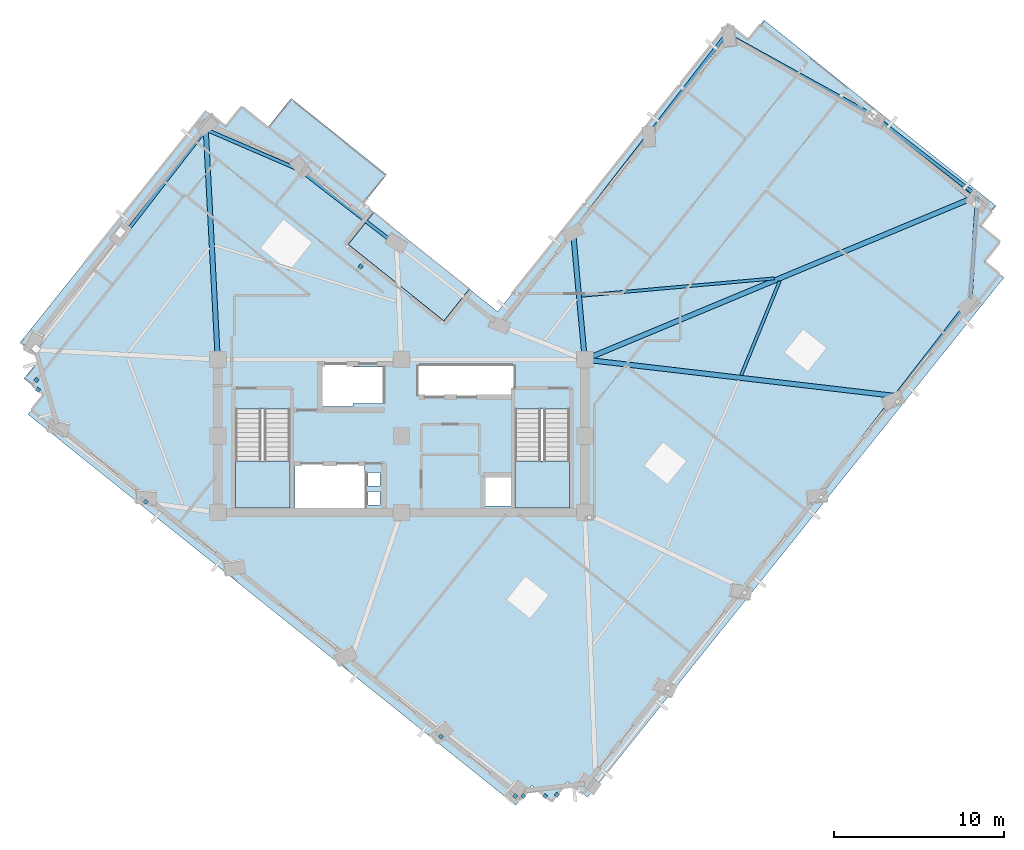
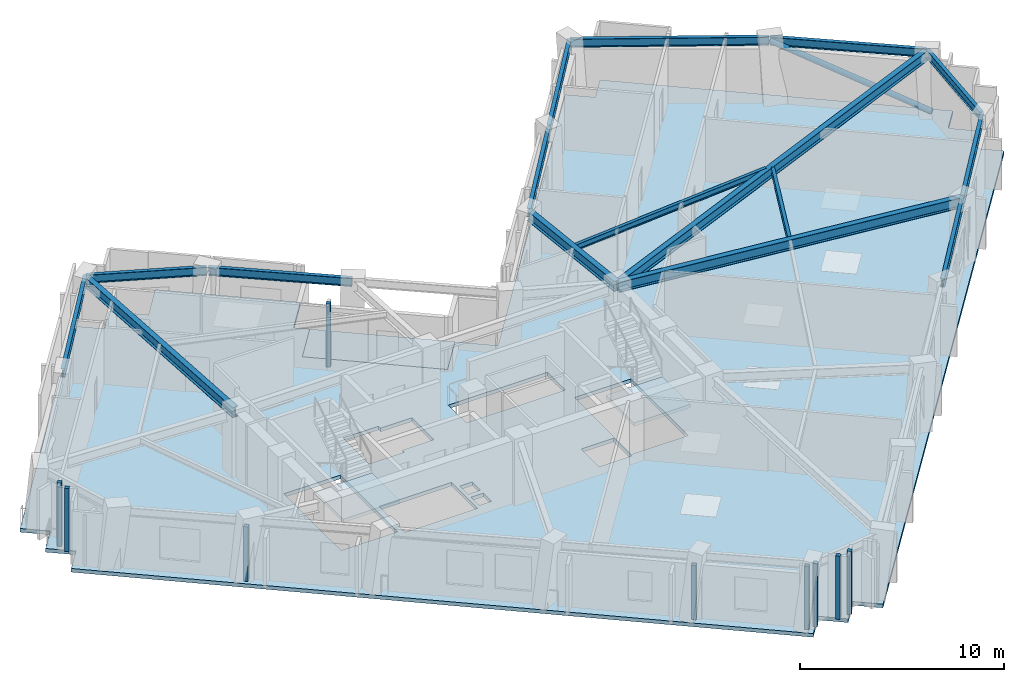
# One storey, part 2 of 10: 16 beams, 9 plates, 4 slabs, 1 member, 2 elements without a shape of their own.
"""IFC4 building model written with IfcOpenShell, lengths in metres."""

import ifcopenshell
import ifcopenshell.guid

model = None  # the IFC model being written
_history = None  # IfcOwnerHistory: only IFC2X3 demands one
_inside = {}  # id of a spatial element -> (the spatial element, [elements in it])
_under = {}  # id of a project, library or spatial element -> (it, [spatial elements below it])
_declared = {}  # id of a project -> (the project, [libraries it declares])
_typed = {}  # id of a type object -> (the type object, [elements of that type])
_made_of = {}  # id of a material, layer set ... -> (it, [elements and type objects made of it])


def new_model(schema):
    """Start an empty IFC model of exactly this schema.

    Asked for "IFC4X3", IfcOpenShell would pick the latest addendum, in which some entities
    have other attributes; the version numbers below select the first issue.
    IFC2X3 requires an IfcOwnerHistory on every rooted entity: one is made here for all.
    """
    global model, _history
    if schema == "IFC4X3":
        model = ifcopenshell.file(schema_version=(4, 3, 0, 0))
    else:
        model = ifcopenshell.file(schema=schema)
    _inside.clear()
    _under.clear()
    _declared.clear()
    _typed.clear()
    _made_of.clear()
    _history = None
    if model.schema == "IFC2X3":
        org = make("IfcOrganization", Name="unknown")
        user = make(
            "IfcPersonAndOrganization",
            ThePerson=make("IfcPerson", FamilyName="unknown"),
            TheOrganization=org,
        )
        app = make(
            "IfcApplication",
            ApplicationDeveloper=org,
            Version="unknown",
            ApplicationFullName="unknown",
            ApplicationIdentifier="unknown",
        )
        _history = make(
            "IfcOwnerHistory",
            OwningUser=user,
            OwningApplication=app,
            ChangeAction="ADDED",
            CreationDate=0,
        )
    return model


def make(cls, **values):
    """One entity of the class cls with the attributes given. An attribute that is None is left unset."""
    return model.create_entity(
        cls, **{name: value for name, value in values.items() if value is not None}
    )


def rooted(cls, **values):
    """An entity with a GlobalId (a new one), such as an element, a storey or a relation."""
    return make(cls, GlobalId=ifcopenshell.guid.new(), OwnerHistory=_history, **values)


def si_unit(unit_type, name, prefix=None):
    """IfcSIUnit, for example si_unit("LENGTHUNIT", "METRE", prefix="MILLI")."""
    return make("IfcSIUnit", UnitType=unit_type, Prefix=prefix, Name=name)


def assignment(units):
    """IfcUnitAssignment: the units of a project."""
    return None if units is None else make("IfcUnitAssignment", Units=units)


def point(xyz):
    """IfcCartesianPoint."""
    return None if xyz is None else make("IfcCartesianPoint", Coordinates=xyz)


def direction(xyz):
    """IfcDirection."""
    return None if xyz is None else make("IfcDirection", DirectionRatios=xyz)


def frame(location, z_axis=None, x_axis=None):
    """IfcAxis2Placement3D, a coordinate frame: its origin and axes. An axis left out is left unset."""
    return make(
        "IfcAxis2Placement3D",
        Location=point(location),
        Axis=direction(z_axis),
        RefDirection=direction(x_axis),
    )


def frame_2d(location, x_axis=None):
    """IfcAxis2Placement2D, a coordinate frame in the plane: its origin and x axis."""
    return make(
        "IfcAxis2Placement2D", Location=point(location), RefDirection=direction(x_axis)
    )


def origin():
    """The frame at (0, 0, 0) with its axes left unset."""
    return frame((0.0, 0.0, 0.0))


def origin_2d():
    """The frame at (0, 0) in the plane with its x axis left unset."""
    return frame_2d((0.0, 0.0))


def place(relative_to, where):
    """IfcLocalPlacement: puts the frame where relative to a parent placement (None: the world)."""
    return make(
        "IfcLocalPlacement", PlacementRelTo=relative_to, RelativePlacement=where
    )


def context(
    kind, dimensions, precision=None, world=None, true_north=None, identifier=None
):
    """IfcGeometricRepresentationContext, for example the 3D "Model" context."""
    return make(
        "IfcGeometricRepresentationContext",
        ContextIdentifier=identifier,
        ContextType=kind,
        CoordinateSpaceDimension=dimensions,
        Precision=precision,
        WorldCoordinateSystem=world,
        TrueNorth=true_north,
    )


def subcontext(parent, identifier, kind, view, scale=None):
    """IfcGeometricRepresentationSubContext, for example "Body" below "Model"."""
    return make(
        "IfcGeometricRepresentationSubContext",
        ContextIdentifier=identifier,
        ContextType=kind,
        ParentContext=parent,
        TargetScale=scale,
        TargetView=view,
    )


def project(units=None, contexts=None):
    """IfcProject with its units and contexts."""
    return rooted(
        "IfcProject",
        Name="project",
        RepresentationContexts=contexts,
        UnitsInContext=assignment(units),
    )


def spatial(cls, under=None, at=None, **own):
    """A site, building, storey or space (cls), placed at a placement, below another one or the project."""
    s = rooted(cls, ObjectPlacement=at, **own)
    if under is not None:
        _under.setdefault(under.id(), (under, []))[1].append(s)
    return s


def polyline(points):
    """IfcPolyline through the points."""
    return make("IfcPolyline", Points=[point(p) for p in points])


def profile(cls, at=None, kind="AREA", **sizes):
    """A parametric profile (cls). Its sizes go by their IFC names, for example OverallWidth=200.0."""
    return make(cls, ProfileType=kind, Position=at, **sizes)


def rectangle(**sizes):
    """IfcRectangleProfileDef."""
    return profile("IfcRectangleProfileDef", **sizes)


def hollow_circle(**sizes):
    """IfcCircleHollowProfileDef."""
    return profile("IfcCircleHollowProfileDef", **sizes)


def i_section(**sizes):
    """IfcIShapeProfileDef."""
    return profile("IfcIShapeProfileDef", **sizes)


def outline(outer, holes=None, kind="AREA"):
    """IfcArbitraryClosedProfileDef: a profile drawn as a closed curve; with holes, ...WithVoids."""
    if holes is None:
        return make("IfcArbitraryClosedProfileDef", ProfileType=kind, OuterCurve=outer)
    return make(
        "IfcArbitraryProfileDefWithVoids",
        ProfileType=kind,
        OuterCurve=outer,
        InnerCurves=holes,
    )


def extrude(swept, where, along, depth):
    """IfcExtrudedAreaSolid: the profile swept, set in the frame where, extruded along a direction by depth."""
    return make(
        "IfcExtrudedAreaSolid",
        SweptArea=swept,
        Position=where,
        ExtrudedDirection=direction(along),
        Depth=depth,
    )


def shape(context_of_items, identifier, shape_type, items):
    """IfcShapeRepresentation: the items that make up one representation, for example the "Body"."""
    return make(
        "IfcShapeRepresentation",
        ContextOfItems=context_of_items,
        RepresentationIdentifier=identifier,
        RepresentationType=shape_type,
        Items=items,
    )


def material(Name=None, Category=None):
    """IfcMaterial."""
    return make("IfcMaterial", Name=Name, Category=Category)


def layer(
    of_material, thickness, ventilated=None, Name=None, Category=None, Priority=None
):
    """IfcMaterialLayer: one layer of a wall or slab, of a material (None: an air gap)."""
    return make(
        "IfcMaterialLayer",
        Material=of_material,
        LayerThickness=thickness,
        IsVentilated=ventilated,
        Name=Name,
        Category=Category,
        Priority=Priority,
    )


def layer_set(layers, Name=None):
    """IfcMaterialLayerSet."""
    return make("IfcMaterialLayerSet", MaterialLayers=layers, LayerSetName=Name)


def material_profile(
    of_material, cross_section, Name=None, Category=None, Priority=None
):
    """IfcMaterialProfile: a cross section and its material."""
    return make(
        "IfcMaterialProfile",
        Name=Name,
        Material=of_material,
        Profile=cross_section,
        Priority=Priority,
        Category=Category,
    )


def profile_set(profiles, Name=None, composite=None):
    """IfcMaterialProfileSet."""
    return make(
        "IfcMaterialProfileSet",
        Name=Name,
        MaterialProfiles=profiles,
        CompositeProfile=composite,
    )


def made_of(thing, what):
    """Note that an element or type object is made of a material, layer set ...; save() writes the relation."""
    if what is not None:
        _made_of.setdefault(what.id(), (what, []))[1].append(thing)
    return thing


def type_object(cls, material=None, **own):
    """A type object (cls), such as IfcWallType, which elements share."""
    return made_of(rooted(cls, **own), material)


def element(
    cls,
    number,
    at=None,
    inside=None,
    cuts=None,
    type_object=None,
    material=None,
    context=None,
    identifier="Body",
    shape_type=None,
    held_by="IfcProductDefinitionShape",
    body=None,
    shapes=None,
    **own,
):
    """One element of the class cls, such as IfcWall. Its Tag is "e" and its number.

    at: its placement. inside: the storey or other place that contains it. cuts: it is an
    opening in that element (IfcRelVoidsElement). A single representation is given by context,
    identifier, shape_type and body (its items); several are given by shapes. held_by: the class
    of the entity that holds the representations. save() writes the other relations.
    """
    e = rooted(cls, Tag="e%d" % number, ObjectPlacement=at, **own)
    if body is not None:
        shapes = [shape(context, identifier, shape_type, body)]
    if shapes is not None:
        e.Representation = make(held_by, Representations=shapes)
    if inside is not None:
        _inside.setdefault(inside.id(), (inside, []))[1].append(e)
    if cuts is not None:
        rooted(
            "IfcRelVoidsElement", RelatingBuildingElement=cuts, RelatedOpeningElement=e
        )
    if type_object is not None:
        _typed.setdefault(type_object.id(), (type_object, []))[1].append(e)
    return made_of(e, material)


def aggregate(whole, parts):
    """IfcRelAggregates: a whole, such as a stair, and the parts it consists of."""
    return rooted("IfcRelAggregates", RelatingObject=whole, RelatedObjects=parts)


def save(model, path):
    """Write the relations noted so far, then the file.

    IfcRelAggregates (storeys below a building ...), IfcRelContainedInSpatialStructure (elements
    in a storey), IfcRelDefinesByType, IfcRelAssociatesMaterial and IfcRelDeclares: one each for
    every whole, place, type object, material and project.
    """
    for whole, parts in _under.values():
        aggregate(whole, parts)
    for where, things in _inside.values():
        rooted(
            "IfcRelContainedInSpatialStructure",
            RelatedElements=things,
            RelatingStructure=where,
        )
    for kind, things in _typed.values():
        rooted("IfcRelDefinesByType", RelatedObjects=things, RelatingType=kind)
    for what, things in _made_of.values():
        rooted("IfcRelAssociatesMaterial", RelatedObjects=things, RelatingMaterial=what)
    for by, libraries in _declared.values():
        rooted("IfcRelDeclares", RelatingContext=by, RelatedDefinitions=libraries)
    model.write(path)


model = new_model("IFC4")

# Units and contexts
model_context = context("Model", 3, precision=1e-05, world=origin(), true_north=direction((0.0, 1.0)))
body_context = subcontext(model_context, "Body", "Model", "MODEL_VIEW")
ifc_project = project(units=[si_unit("LENGTHUNIT", "METRE"), si_unit("AREAUNIT", "SQUARE_METRE"), si_unit("VOLUMEUNIT", "CUBIC_METRE"), si_unit("PLANEANGLEUNIT", "RADIAN"), si_unit("MASSUNIT", "GRAM", prefix="KILO")], contexts=[model_context])

# Site, building, storey
site_placement = place(None, origin())
site = spatial("IfcSite", under=ifc_project, at=site_placement, CompositionType="ELEMENT")
building_placement = place(site_placement, origin())
building = spatial("IfcBuilding", under=site, at=building_placement, Name="Gaonmaruhae Medical Tower", CompositionType="ELEMENT")
storey_placement = place(building_placement, frame((0.0, 0.0, 243.199951171875)))
storey = spatial("IfcBuildingStorey", under=building, at=storey_placement, Name="L58", CompositionType="ELEMENT", Elevation=243.199951171875)

# Beams
ifc_material_1 = material(Name="Steel SM355", Category="steel")
ifc_material_profile_1 = material_profile(ifc_material_1, i_section(OverallWidth=0.175048828125, OverallDepth=0.35009765625, WebThickness=0.007080078125, FlangeThickness=0.010986328125, FilletRadius=0.012939453125, at=origin_2d()), Name="H-350x175x7x11")
ifc_profile_set_1 = profile_set([ifc_material_profile_1], Name="Steel SM355")
beam_type_1 = type_object("IfcBeamType", Name="FJ-02 Upper Zone Ward Floor Joist (H-350x175x7x11)", PredefinedType="JOIST", material=ifc_profile_set_1)
beam_1_placement = place(storey_placement, frame((44.804443359375, 15.878173828125, 3.60498046875), z_axis=(0.378464256869, 0.92561590645, 0.0), x_axis=(-0.92561590645, 0.378464256869, 0.0)))
element("IfcBeam", 1, at=beam_1_placement, inside=storey, type_object=beam_type_1, Name="L58 Secondary Floor Joist FJ03", PredefinedType="JOIST", context=body_context, shape_type="SweptSolid", body=[
    extrude(i_section(OverallWidth=0.175048828125, OverallDepth=0.35009765625, WebThickness=0.007080078125, FlangeThickness=0.010986328125, FilletRadius=0.012939453125, at=origin_2d()), origin(), (0.0, 0.0, 1.0), 5.977294921875),
])
beam_2_placement = place(storey_placement, frame((46.749755859375, 21.576416015625, 3.60498046875), z_axis=(-0.995996790355, -0.089389001576, 0.0), x_axis=(0.089389001576, -0.995996790355, 0.0)))
element("IfcBeam", 2, at=beam_2_placement, inside=storey, type_object=beam_type_1, Name="L58 Secondary Floor Joist FJ04", PredefinedType="JOIST", context=body_context, shape_type="SweptSolid", body=[
    extrude(i_section(OverallWidth=0.175048828125, OverallDepth=0.35009765625, WebThickness=0.007080078125, FlangeThickness=0.010986328125, FilletRadius=0.012939453125, at=origin_2d()), origin(), (0.0, 0.0, 1.0), 11.3837890625),
])

# Member
ifc_material_profile_2 = material_profile(ifc_material_1, hollow_circle(Radius=0.1591796875, WallThickness=0.01025390625, at=origin_2d()), Name="CHS-318.5x10.3")
ifc_profile_set_2 = profile_set([ifc_material_profile_2], Name="Steel SM355")
member_type = type_object("IfcMemberType", Name="PB-03 Perimeter Solid-Bay Tube Brace Upper (CHS-318.5x10.3)", PredefinedType="BRACE", material=ifc_profile_set_2)
member_placement = place(storey_placement, frame((58.721435546875, 26.00830078125, 0.25), z_axis=(-0.709963496161, 0.595369262002, 0.376147944275), x_axis=(-0.642559044256, -0.766236174195, 0.0)))
element("IfcMember", 3, at=member_placement, inside=storey, type_object=member_type, Name="L58 Perimeter Tube Solid-Bay Brace E01-E02", PredefinedType="BRACE", context=body_context, shape_type="SweptSolid", body=[
    extrude(hollow_circle(Radius=0.1591796875, WallThickness=0.01025390625, at=origin_2d()), origin(), (0.0, 0.0, 1.0), 8.719970703125),
])

# Beams
ifc_material_2 = material(Name="Steel SM420", Category="steel")
ifc_material_profile_3 = material_profile(ifc_material_2, i_section(OverallWidth=0.300048828125, OverallDepth=0.60009765625, WebThickness=0.011962890625, FlangeThickness=0.02001953125, FilletRadius=0.012939453125, at=origin_2d()), Name="H-600x300x12x20")
ifc_profile_set_3 = profile_set([ifc_material_profile_3], Name="Steel SM420")
beam_type_2 = type_object("IfcBeamType", Name="PG-04 Zone 4 Radial Floor Girder (H-600x300x12x20)", PredefinedType="BEAM", material=ifc_profile_set_3)
beam_3_placement = place(storey_placement, frame((35.649658203125, 16.794189453125, 3.47998046875), z_axis=(0.993204828039, -0.116379420685, 0.0), x_axis=(0.116379420685, 0.993204828039, 0.0)))
element("IfcBeam", 4, at=beam_3_placement, inside=storey, type_object=beam_type_2, Name="L58 Radial Primary Girder S05", PredefinedType="BEAM", context=body_context, shape_type="SweptSolid", body=[
    extrude(i_section(OverallWidth=0.300048828125, OverallDepth=0.60009765625, WebThickness=0.011962890625, FlangeThickness=0.02001953125, FilletRadius=0.012939453125, at=origin_2d()), origin(), (0.0, 0.0, 1.0), 18.311767578125),
])
beam_4_placement = place(storey_placement, frame((35.646240234375, 16.8193359375, 3.47998046875), z_axis=(0.923069677486, 0.384632773572, 0.0), x_axis=(-0.384632773572, 0.923069677486, 0.0)))
element("IfcBeam", 5, at=beam_4_placement, inside=storey, type_object=beam_type_2, Name="L58 Radial Primary Girder E01", PredefinedType="BEAM", context=body_context, shape_type="SweptSolid", body=[
    extrude(i_section(OverallWidth=0.300048828125, OverallDepth=0.60009765625, WebThickness=0.011962890625, FlangeThickness=0.02001953125, FilletRadius=0.012939453125, at=origin_2d()), origin(), (0.0, 0.0, 1.0), 24.9228515625),
])
beam_5_placement = place(storey_placement, frame((35.595458984375, 16.849853515625, 3.47998046875), z_axis=(-0.091422598712, 0.995812185326, 0.0), x_axis=(-0.995812185326, -0.091422598712, 0.0)))
element("IfcBeam", 6, at=beam_5_placement, inside=storey, type_object=beam_type_2, Name="L58 Radial Primary Girder EN02", PredefinedType="BEAM", context=body_context, shape_type="SweptSolid", body=[
    extrude(i_section(OverallWidth=0.300048828125, OverallDepth=0.60009765625, WebThickness=0.011962890625, FlangeThickness=0.02001953125, FilletRadius=0.012939453125, at=origin_2d()), origin(), (0.0, 0.0, 1.0), 7.421142578125),
])
beam_6_placement = place(storey_placement, frame((13.997314453125, 16.849853515625, 3.47998046875), z_axis=(-0.052142838185, 0.998639636919, 0.0), x_axis=(-0.998639636919, -0.052142838185, 0.0)))
element("IfcBeam", 7, at=beam_6_placement, inside=storey, type_object=beam_type_2, Name="L58 Radial Primary Girder N01", PredefinedType="BEAM", context=body_context, shape_type="SweptSolid", body=[
    extrude(i_section(OverallWidth=0.300048828125, OverallDepth=0.60009765625, WebThickness=0.011962890625, FlangeThickness=0.02001953125, FilletRadius=0.012939453125, at=origin_2d()), origin(), (0.0, 0.0, 1.0), 13.461181640625),
])
ifc_material_profile_4 = material_profile(ifc_material_1, i_section(OverallWidth=0.199951171875, OverallDepth=0.5, WebThickness=0.010009765625, FlangeThickness=0.01611328125, FilletRadius=0.012939453125, at=origin_2d()), Name="H-500x200x10x16")
ifc_profile_set_4 = profile_set([ifc_material_profile_4], Name="Steel SM355")
beam_type_3 = type_object("IfcBeamType", Name="SP-02 Upper Perimeter Spandrel Beam (H-500x200x10x16)", PredefinedType="SPANDREL", material=ifc_profile_set_4)
beam_7_placement = place(storey_placement, frame((49.503173828125, 8.995849609375, 3.530029296875), z_axis=(0.612213305011, 0.79069265152, 0.0), x_axis=(-0.79069265152, 0.612213305011, 0.0)))
element("IfcBeam", 8, at=beam_7_placement, inside=storey, type_object=beam_type_3, Name="L58 Perimeter Spandrel Beam S04-S05", PredefinedType="SPANDREL", context=body_context, shape_type="SweptSolid", body=[
    extrude(i_section(OverallWidth=0.199951171875, OverallDepth=0.5, WebThickness=0.010009765625, FlangeThickness=0.01611328125, FilletRadius=0.012939453125, at=origin_2d()), origin(), (0.0, 0.0, 1.0), 7.119873046875),
])
beam_8_placement = place(storey_placement, frame((53.9111328125, 14.688720703125, 3.530029296875), z_axis=(0.612196706487, 0.790705503058, 0.0), x_axis=(-0.790705503058, 0.612196706487, 0.0)))
element("IfcBeam", 9, at=beam_8_placement, inside=storey, type_object=beam_type_3, Name="L58 Perimeter Spandrel Beam S05-S06", PredefinedType="SPANDREL", context=body_context, shape_type="SweptSolid", body=[
    extrude(i_section(OverallWidth=0.199951171875, OverallDepth=0.5, WebThickness=0.010009765625, FlangeThickness=0.01611328125, FilletRadius=0.012939453125, at=origin_2d()), origin(), (0.0, 0.0, 1.0), 7.1201171875),
])
beam_9_placement = place(storey_placement, frame((58.297119140625, 20.39013671875, 3.530029296875), z_axis=(0.066278962547, 0.997801132052, 0.0), x_axis=(-0.997801132052, 0.066278962547, 0.0)))
element("IfcBeam", 10, at=beam_9_placement, inside=storey, type_object=beam_type_3, Name="L58 Perimeter Spandrel Beam S06-E01", PredefinedType="SPANDREL", context=body_context, shape_type="SweptSolid", body=[
    extrude(i_section(OverallWidth=0.199951171875, OverallDepth=0.5, WebThickness=0.010009765625, FlangeThickness=0.01611328125, FilletRadius=0.012939453125, at=origin_2d()), origin(), (0.0, 0.0, 1.0), 6.0078125),
])
beam_10_placement = place(storey_placement, frame((58.666259765625, 26.44921875, 3.530029296875), z_axis=(-0.790683706806, 0.612224857214, 0.0), x_axis=(-0.612224857214, -0.790683706806, 0.0)))
element("IfcBeam", 11, at=beam_10_placement, inside=storey, type_object=beam_type_3, Name="L58 Perimeter Spandrel Beam E01-E02", PredefinedType="SPANDREL", context=body_context, shape_type="SweptSolid", body=[
    extrude(i_section(OverallWidth=0.199951171875, OverallDepth=0.5, WebThickness=0.010009765625, FlangeThickness=0.01611328125, FilletRadius=0.012939453125, at=origin_2d()), origin(), (0.0, 0.0, 1.0), 7.719970703125),
])
beam_11_placement = place(storey_placement, frame((52.49560546875, 31.21923828125, 3.530029296875), z_axis=(-0.874958094711, 0.484198649833, 0.0), x_axis=(-0.484198649833, -0.874958094711, 0.0)))
element("IfcBeam", 12, at=beam_11_placement, inside=storey, type_object=beam_type_3, Name="L58 Perimeter Spandrel Beam E02-E03", PredefinedType="SPANDREL", context=body_context, shape_type="SweptSolid", body=[
    extrude(i_section(OverallWidth=0.199951171875, OverallDepth=0.5, WebThickness=0.010009765625, FlangeThickness=0.01611328125, FilletRadius=0.012939453125, at=origin_2d()), origin(), (0.0, 0.0, 1.0), 9.7353515625),
])
beam_12_placement = place(storey_placement, frame((43.91796875, 35.9208984375, 3.530029296875), z_axis=(-0.61221274321, -0.790693086508, 0.0), x_axis=(0.790693086508, -0.61221274321, 0.0)))
element("IfcBeam", 13, at=beam_12_placement, inside=storey, type_object=beam_type_3, Name="L58 Perimeter Spandrel Beam E03-EN01", PredefinedType="SPANDREL", context=body_context, shape_type="SweptSolid", body=[
    extrude(i_section(OverallWidth=0.199951171875, OverallDepth=0.5, WebThickness=0.010009765625, FlangeThickness=0.01611328125, FilletRadius=0.012939453125, at=origin_2d()), origin(), (0.0, 0.0, 1.0), 7.469970703125),
])
for number, where, z_axis, x_axis, name in (
    (14, (39.2958984375, 29.951171875, 3.530029296875), (-0.612218143848, -0.790688904908, 0.0), (0.790688904908, -0.612218143848, 0.0), "L58 Perimeter Spandrel Beam EN01-EN02"),
    (15, (24.498046875, 23.563720703125, 3.530029296875), (-0.790705503058, 0.612196706487, 0.0), (-0.612196706487, -0.790705503058, 0.0), "L58 Perimeter Spandrel Beam NE01-NE02"),
):
    element("IfcBeam", number, at=place(storey_placement, frame(where, z_axis=z_axis, x_axis=x_axis)), inside=storey, type_object=beam_type_3, Name=name, PredefinedType="SPANDREL", context=body_context, shape_type="SweptSolid", body=[
        extrude(i_section(OverallWidth=0.199951171875, OverallDepth=0.5, WebThickness=0.010009765625, FlangeThickness=0.01611328125, FilletRadius=0.012939453125, at=origin_2d()), origin(), (0.0, 0.0, 1.0), 7.1201171875),
    ])
beam_13_placement = place(storey_placement, frame((18.7998046875, 27.962890625, 3.530029296875), z_axis=(-0.917969138095, 0.396651813944, 0.0), x_axis=(-0.396651813944, -0.917969138095, 0.0)))
element("IfcBeam", 16, at=beam_13_placement, inside=storey, type_object=beam_type_3, Name="L58 Perimeter Spandrel Beam NE02-N01", PredefinedType="SPANDREL", context=body_context, shape_type="SweptSolid", body=[
    extrude(i_section(OverallWidth=0.199951171875, OverallDepth=0.5, WebThickness=0.010009765625, FlangeThickness=0.01611328125, FilletRadius=0.012939453125, at=origin_2d()), origin(), (0.0, 0.0, 1.0), 5.959228515625),
])
beam_14_placement = place(storey_placement, frame((13.268310546875, 30.31103515625, 3.530029296875), z_axis=(-0.612215641343, -0.790690842552, 0.0), x_axis=(0.790690842552, -0.612215641343, 0.0)))
element("IfcBeam", 17, at=beam_14_placement, inside=storey, type_object=beam_type_3, Name="L58 Perimeter Spandrel Beam N01-N02", PredefinedType="SPANDREL", context=body_context, shape_type="SweptSolid", body=[
    extrude(i_section(OverallWidth=0.199951171875, OverallDepth=0.5, WebThickness=0.010009765625, FlangeThickness=0.01611328125, FilletRadius=0.012939453125, at=origin_2d()), origin(), (0.0, 0.0, 1.0), 8.1201171875),
])

# Slab
ifc_material_3 = material(Name="Concrete C40/50", Category="concrete")
ifc_layer_1 = layer(ifc_material_3, 0.219970703125)
ifc_layer_set_1 = layer_set([ifc_layer_1], Name="Concrete C40/50")
slab_type_1 = type_object("IfcSlabType", Name="FS-220 Clinical Ward Composite Floor Slab", PredefinedType="FLOOR", material=ifc_layer_set_1)
slab_1_placement = place(storey_placement, frame((0.0, 0.0, -0.219970703125)))
element("IfcSlab", 18, at=slab_1_placement, inside=storey, type_object=slab_type_1, Name="L58 Structural Slab 1", PredefinedType="FLOOR", context=body_context, shape_type="SweptSolid", body=[
    extrude(outline(polyline([(44.040771484375, 36.552490234375), (45.211181640625, 35.61474609375), (46.149169921875, 36.785400390625), (59.806640625, 25.843505859375), (58.868896484375, 24.673095703125), (60.03955078125, 23.735107421875), (59.1015625, 22.564453125), (60.272216796875, 21.626708984375), (35.7626953125, -8.96630859375), (34.592041015625, -8.0283203125), (33.654296875, -9.19921875), (32.483642578125, -8.26123046875), (31.545654296875, -9.431884765625), (2.825927734375, 13.5771484375), (3.763916015625, 14.747802734375), (2.593017578125, 15.685546875), (3.531005859375, 16.856201171875), (2.3603515625, 17.794189453125), (13.302001953125, 31.45166015625), (14.47265625, 30.513916015625), (15.41064453125, 31.684326171875), (16.94091796875, 30.458251953125), (18.31640625, 32.17529296875), (23.935546875, 27.673583984375), (22.56005859375, 25.95654296875), (23.184326171875, 25.456298828125), (21.683837890625, 23.583251953125), (27.302978515625, 19.08154296875), (28.803466796875, 20.95458984375), (30.472900390625, 19.6171875), (44.040771484375, 36.552490234375)]), holes=[polyline([(23.550048828125, 8.25), (22.85009765625, 8.25), (22.85009765625, 9.050048828125), (23.550048828125, 9.050048828125), (23.550048828125, 8.25)]), polyline([(31.425048828125, 9.925048828125), (31.425048828125, 8.175048828125), (29.574951171875, 8.175048828125), (29.574951171875, 9.925048828125), (31.425048828125, 9.925048828125)]), polyline([(22.64990234375, 10.625), (22.64990234375, 8.074951171875), (18.550048828125, 8.074951171875), (18.550048828125, 10.625), (22.64990234375, 10.625)]), polyline([(23.550048828125, 9.35009765625), (22.85009765625, 9.35009765625), (22.85009765625, 10.14990234375), (23.550048828125, 10.14990234375), (23.550048828125, 9.35009765625)]), polyline([(15.050048828125, 13.889892578125), (18.25, 13.889892578125), (18.25, 8.300048828125), (15.050048828125, 8.300048828125), (15.050048828125, 13.889892578125)]), polyline([(31.5, 13.889892578125), (34.699951171875, 13.889892578125), (34.699951171875, 8.300048828125), (31.5, 8.300048828125), (31.5, 13.889892578125)]), polyline([(21.949951171875, 14.22509765625), (21.949951171875, 14.02490234375), (19.949951171875, 14.02490234375), (19.949951171875, 16.574951171875), (21.949951171875, 16.574951171875), (21.949951171875, 16.375), (23.72509765625, 16.375), (23.72509765625, 14.22509765625), (21.949951171875, 14.22509765625)]), polyline([(31.425048828125, 16.425048828125), (31.425048828125, 14.675048828125), (25.824951171875, 14.675048828125), (25.824951171875, 16.425048828125), (31.425048828125, 16.425048828125)])]), origin(), (0.0, 0.0, 1.0), 0.219970703125),
])

# Plates
ifc_material_4 = material(Name="Anodised aluminium 6063-T6", Category="aluminium")
ifc_layer_2 = layer(ifc_material_4, 0.011962890625)
ifc_layer_set_2 = layer_set([ifc_layer_2], Name="Anodised aluminium 6063-T6")
plate_type = type_object("IfcPlateType", Name="PP-01 Interior Partition Corner Stiffener Plate", PredefinedType="SHEET", material=ifc_layer_set_2)
for number, where, z_axis, x_axis, name in (
    (19, (33.26904296875, -8.890380859375, 0.0), (0.0, 0.0, 1.0), (-0.780375841652, 0.625310759356, 0.0), "L58 Partition Corner Stiffener Plate PLT-L58-JGP-PW007"),
    (20, (31.9794921875, -8.890380859375, 0.0), (0.0, 0.0, 1.0), (-0.62449320897, -0.781030237539, 0.0), "L58 Partition Corner Stiffener Plate PLT-L58-JGP-PW008"),
    (21, (31.508056640625, -8.889404296875, 0.0), (0.0, 0.0, 1.0), (-0.780735865338, 0.624861191445, 0.0), "L58 Partition Corner Stiffener Plate PLT-L58-JGP-PW009"),
):
    element("IfcPlate", number, at=place(storey_placement, frame(where, z_axis=z_axis, x_axis=x_axis)), inside=storey, type_object=plate_type, Name=name, PredefinedType="SHEET", context=body_context, shape_type="SweptSolid", body=[
        extrude(rectangle(XDim=0.219970703125, YDim=0.219970703125, at=origin_2d()), origin(), (0.0, 0.0, 1.0), 3.780029296875),
    ])
plate_1_placement = place(storey_placement, frame((27.134033203125, -5.385009765625, 0.0), z_axis=(0.0, 0.0, 1.0), x_axis=(-0.780354013713, 0.625337999231, 0.0)))
element("IfcPlate", 22, at=plate_1_placement, inside=storey, type_object=plate_type, Name="L58 Partition Corner Stiffener Plate PLT-L58-JGP-PW010", PredefinedType="SHEET", context=body_context, shape_type="SweptSolid", body=[
    extrude(rectangle(XDim=0.219970703125, YDim=0.219970703125, at=origin_2d()), origin(), (0.0, 0.0, 1.0), 3.2451171875),
])
plate_2_placement = place(storey_placement, frame((33.96240234375, -8.81396484375, 0.0), z_axis=(0.0, 0.0, 1.0), x_axis=(-0.625310759356, -0.780375841652, 0.0)))
element("IfcPlate", 23, at=plate_2_placement, inside=storey, type_object=plate_type, Name="L58 Partition Corner Stiffener Plate PLT-L58-JGP-PW016", PredefinedType="SHEET", context=body_context, shape_type="SweptSolid", body=[
    extrude(rectangle(XDim=0.219970703125, YDim=0.219970703125, at=origin_2d()), origin(), (0.0, 0.0, 1.0), 3.780029296875),
])
plate_3_placement = place(storey_placement, frame((9.759521484375, 8.431884765625, 0.0), z_axis=(0.0, 0.0, 1.0), x_axis=(-0.780124762956, 0.625623971906, 0.0)))
element("IfcPlate", 24, at=plate_3_placement, inside=storey, type_object=plate_type, Name="L58 Partition Corner Stiffener Plate PLT-L58-JGP-PW046", PredefinedType="SHEET", context=body_context, shape_type="SweptSolid", body=[
    extrude(rectangle(XDim=0.219970703125, YDim=0.219970703125, at=origin_2d()), origin(), (0.0, 0.0, 1.0), 3.264892578125),
])
for number, where, z_axis, x_axis, name in (
    (25, (3.422607421875, 15.021484375, 0.0), (0.0, 0.0, 1.0), (-0.780539520881, 0.625106436011, 0.0), "L58 Partition Corner Stiffener Plate PLT-L58-JGP-PW049"),
    (26, (3.330078125, 15.60595703125, 0.0), (0.0, 0.0, 1.0), (0.624997446042, 0.780626794596, 0.0), "L58 Partition Corner Stiffener Plate PLT-L58-JGP-PW050"),
    (27, (22.405029296875, 22.278564453125, 0.0), (0.0, 0.0, 1.0), (-0.625433332791, -0.78027760844, 0.0), "L58 Partition Corner Stiffener Plate PLT-L58-JGP-PW070"),
):
    element("IfcPlate", number, at=place(storey_placement, frame(where, z_axis=z_axis, x_axis=x_axis)), inside=storey, type_object=plate_type, Name=name, PredefinedType="SHEET", context=body_context, shape_type="SweptSolid", body=[
        extrude(rectangle(XDim=0.219970703125, YDim=0.219970703125, at=origin_2d()), origin(), (0.0, 0.0, 1.0), 3.780029296875),
    ])

# Stair, slab
stair_type = type_object("IfcStairType", Name="ST-T1 Primary Core Escape Dogleg Stair", PredefinedType="TWO_QUARTER_TURN_STAIR", material=ifc_material_3)
stair_1_placement = place(storey_placement, origin())
stair_1 = element("IfcStair", 28, at=stair_1_placement, inside=storey, type_object=stair_type, Name="L58 Protected Escape Stair ST-01", PredefinedType="TWO_QUARTER_TURN_STAIR")
ifc_layer_3 = layer(ifc_material_3, 0.199951171875)
ifc_layer_set_3 = layer_set([ifc_layer_3], Name="Concrete C40/50")
slab_type_2 = type_object("IfcSlabType", Name="SL-200 Stair & Ramp Intermediate Concrete Landing", PredefinedType="LANDING", material=ifc_layer_set_3)
slab_2_placement = place(storey_placement, frame((0.0, 0.0, 1.800048828125)))
slab_2 = element("IfcSlab", 29, at=slab_2_placement, type_object=slab_type_2, Name="ST-01 landing 1", PredefinedType="LANDING", context=body_context, shape_type="SweptSolid", body=[
    extrude(outline(polyline([(15.050048828125, 10.820068359375), (15.050048828125, 8.0791015625), (18.25, 8.0791015625), (18.25, 10.820068359375), (15.050048828125, 10.820068359375)])), origin(), (0.0, 0.0, 1.0), 0.199951171875),
])
aggregate(stair_1, [slab_2])

stair_2_placement = place(storey_placement, origin())
stair_2 = element("IfcStair", 30, at=stair_2_placement, inside=storey, type_object=stair_type, Name="L58 Protected Escape Stair ST-02", PredefinedType="TWO_QUARTER_TURN_STAIR")
slab_3_placement = place(storey_placement, frame((0.0, 0.0, 1.800048828125)))
slab_3 = element("IfcSlab", 31, at=slab_3_placement, type_object=slab_type_2, Name="ST-02 landing 1", PredefinedType="LANDING", context=body_context, shape_type="SweptSolid", body=[
    extrude(outline(polyline([(31.5, 10.820068359375), (31.5, 8.0791015625), (34.699951171875, 8.0791015625), (34.699951171875, 10.820068359375), (31.5, 10.820068359375)])), origin(), (0.0, 0.0, 1.0), 0.199951171875),
])
aggregate(stair_2, [slab_3])

# Slab
ifc_layer_4 = layer(ifc_material_3, 0.239990234375)
ifc_layer_set_4 = layer_set([ifc_layer_4], Name="Concrete C40/50")
slab_type_3 = type_object("IfcSlabType", Name="TS-240 Sky Garden & Recovery Terrace Slab", PredefinedType="FLOOR", material=ifc_layer_set_4)
slab_4_placement = place(storey_placement, frame((0.0, 0.0, -0.239990234375)))
element("IfcSlab", 32, at=slab_4_placement, inside=storey, type_object=slab_type_3, Name="L58 Outdoor Recovery Terrace Slab", PredefinedType="FLOOR", context=body_context, shape_type="SweptSolid", body=[
    extrude(outline(polyline([(27.302978515625, 19.08154296875), (28.803466796875, 20.95458984375), (23.1845703125, 25.456298828125), (21.683837890625, 23.583251953125), (27.302978515625, 19.08154296875)])), origin(), (0.0, 0.0, 1.0), 0.239990234375),
])

save(model, "model.ifc")
